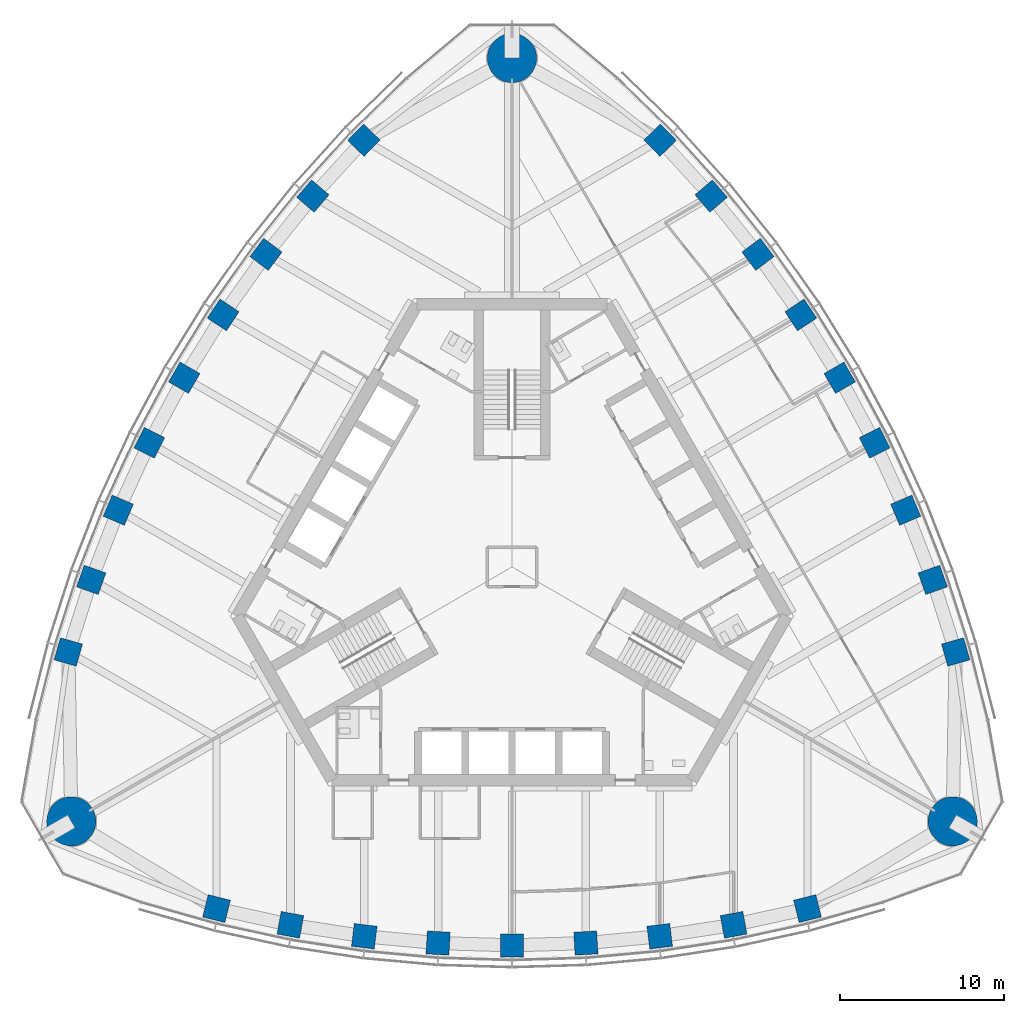
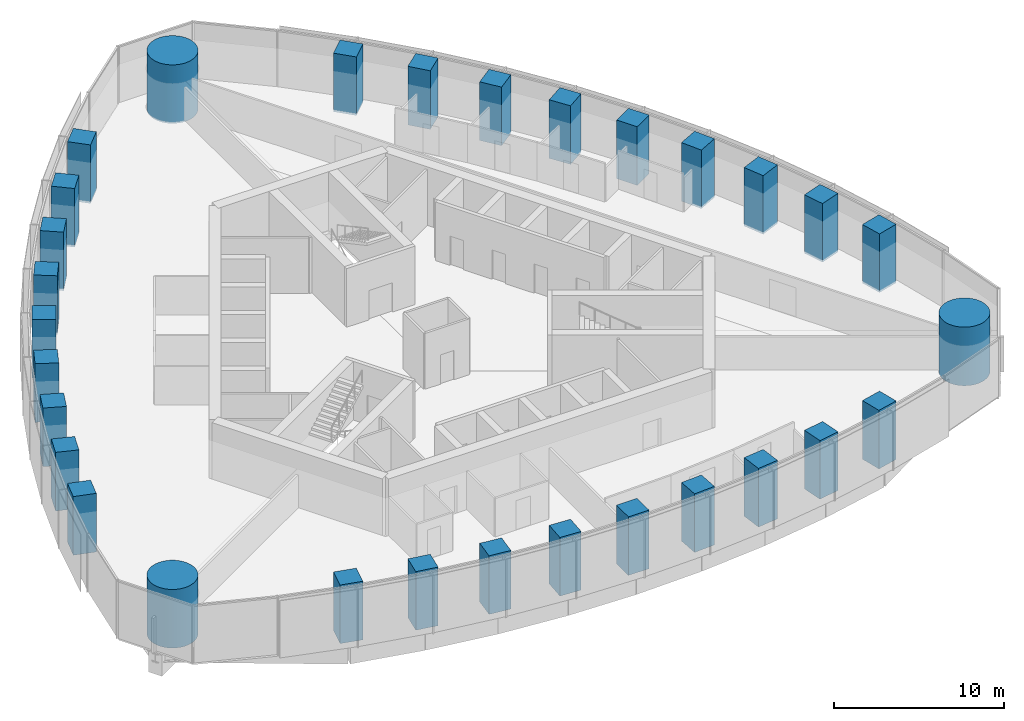
# One storey, part 1 of 15: 30 columns.
"""IFC4 building model written with IfcOpenShell, lengths in metres."""

from ifc_helpers import new_model, si_unit, direction, frame, origin, origin_2d, place, context, subcontext, project, spatial, rectangle, circle, extrude, material, material_profile, profile_set, type_object, element, save


model = new_model("IFC4")

# Units and contexts
model_context = context("Model", 3, precision=1e-05, world=origin(), true_north=direction((0.0, 1.0)))
body_context = subcontext(model_context, "Body", "Model", "MODEL_VIEW")
ifc_project = project(units=[si_unit("LENGTHUNIT", "METRE"), si_unit("AREAUNIT", "SQUARE_METRE"), si_unit("VOLUMEUNIT", "CUBIC_METRE"), si_unit("PLANEANGLEUNIT", "RADIAN"), si_unit("MASSUNIT", "GRAM", prefix="KILO")], contexts=[model_context])

# Site, building, storey
site_placement = place(None, origin())
site = spatial("IfcSite", under=ifc_project, at=site_placement, CompositionType="ELEMENT")
building_placement = place(site_placement, origin())
building = spatial("IfcBuilding", under=site, at=building_placement, Name="Trefoil Bronze Tower", CompositionType="ELEMENT")
storey_placement = place(building_placement, frame((0.0, 0.0, 276.300048828125)))
storey = spatial("IfcBuildingStorey", under=building, at=storey_placement, Name="L63", CompositionType="ELEMENT", Elevation=276.300048828125)

# Columns
ifc_material_1 = material(Name="Concrete B80", Category="concrete")
ifc_material_profile_1 = material_profile(ifc_material_1, circle(Radius=1.5, at=origin_2d()), Name="RC D3000")
ifc_profile_set_1 = profile_set([ifc_material_profile_1], Name="Concrete B80")
column_type_1 = type_object("IfcColumnType", Name="Mega column RC D3000", PredefinedType="COLUMN", material=ifc_profile_set_1)
for number, where, z_axis, x_axis, name in (
    (1, (26.8466796875, -15.5, 0.0), (0.0, 0.0, 1.0), (1.0, 0.0, 0.0), "Mega column K1 L63"),
    (2, (0.0, 31.0, 0.0), (0.0, 0.0, 1.0), (1.0, 0.0, 0.0), "Mega column K2 L63"),
    (3, (-26.8466796875, -15.5, 0.0), (0.0, 0.0, 1.0), (1.0, 0.0, 0.0), "Mega column K3 L63"),
):
    element("IfcColumn", number, at=place(storey_placement, frame(where, z_axis=z_axis, x_axis=x_axis)), inside=storey, type_object=column_type_1, Name=name, PredefinedType="COLUMN", context=body_context, shape_type="SweptSolid", body=[
        extrude(circle(Radius=1.5, at=origin_2d()), origin(), (0.0, 0.0, 1.0), 4.199951171875),
    ])
ifc_material_2 = material(Name="Concrete B80", Category="concrete")
ifc_material_profile_2 = material_profile(ifc_material_2, rectangle(XDim=1.39990234375, YDim=1.39990234375, at=origin_2d()), Name="RC 1400x1400")
ifc_profile_set_2 = profile_set([ifc_material_profile_2], Name="Concrete B80")
column_type_2 = type_object("IfcColumnType", Name="Tube column RC 1400x1400", PredefinedType="COLUMN", material=ifc_profile_set_2)
for number, where, z_axis, x_axis, name in (
    (4, (-18.0, -20.816162109375, 0.0), (0.0, 0.0, 1.0), (0.97017777199, -0.242394494031, 0.0), "Tube column F1/-4 L63"),
    (5, (-13.5, -21.802734375, 0.0), (0.0, 0.0, 1.0), (0.983360067227, -0.181667218242, 0.0), "Tube column F1/-3 L63"),
    (6, (-9.0, -22.499267578125, 0.0), (0.0, 0.0, 1.0), (0.992639174109, -0.121109330868, 0.0), "Tube column F1/-2 L63"),
    (7, (-4.5, -22.913818359375, 0.0), (0.0, 0.0, 1.0), (0.998164920349, -0.060554040199, 0.0), "Tube column F1/-1 L63"),
    (8, (0.0, -23.051513671875, 0.0), (0.0, 0.0, 1.0), (1.0, 0.0, 0.0), "Tube column F1/+0 L63"),
    (9, (4.5, -22.913818359375, 0.0), (0.0, 0.0, 1.0), (0.998164920349, 0.060554040199, 0.0), "Tube column F1/+1 L63"),
    (10, (9.0, -22.499267578125, 0.0), (0.0, 0.0, 1.0), (0.992639174109, 0.121109330868, 0.0), "Tube column F1/+2 L63"),
    (11, (13.5, -21.802734375, 0.0), (0.0, 0.0, 1.0), (0.983360067227, 0.181667218242, 0.0), "Tube column F1/+3 L63"),
    (12, (18.0, -20.816162109375, 0.0), (0.0, 0.0, 1.0), (0.97017777199, 0.242394494031, 0.0), "Tube column F1/+4 L63"),
    (13, (27.02734375, -5.180419921875, 0.0), (0.0, 0.0, 1.0), (-0.275169096426, 0.961395843746, 0.0), "Tube column F2/-4 L63"),
    (14, (25.631591796875, -0.7900390625, 0.0), (0.0, 0.0, 1.0), (-0.334351607581, 0.942448408407, 0.0), "Tube column F2/-3 L63"),
    (15, (23.98486328125, 3.455322265625, 0.0), (0.0, 0.0, 1.0), (-0.391435829888, 0.920205407004, 0.0), "Tube column F2/-2 L63"),
    (16, (22.093994140625, 7.559814453125, 0.0), (0.0, 0.0, 1.0), (-0.44664112306, 0.894713198289, 0.0), "Tube column F2/-1 L63"),
    (17, (19.96337890625, 11.52587890625, 0.0), (0.0, 0.0, 1.0), (-0.5, 0.866025403784, 0.0), "Tube column F2/+0 L63"),
    (18, (17.593994140625, 15.35400390625, 0.0), (0.0, 0.0, 1.0), (-0.551523797289, 0.834159158089, 0.0), "Tube column F2/+1 L63"),
    (19, (14.98486328125, 19.043701171875, 0.0), (0.0, 0.0, 1.0), (-0.601203344222, 0.799096076136, 0.0), "Tube column F2/+2 L63"),
    (20, (12.131591796875, 22.5927734375, 0.0), (0.0, 0.0, 1.0), (-0.649008459646, 0.760781190165, 0.0), "Tube column F2/+3 L63"),
    (21, (9.02734375, 25.99658203125, 0.0), (0.0, 0.0, 1.0), (-0.695008675564, 0.719001349715, 0.0), "Tube column F2/+4 L63"),
    (22, (-9.02734375, 25.99658203125, 0.0), (0.0, 0.0, 1.0), (-0.695008675564, -0.719001349715, 0.0), "Tube column F3/-4 L63"),
    (23, (-12.131591796875, 22.5927734375, 0.0), (0.0, 0.0, 1.0), (-0.649008459646, -0.760781190165, 0.0), "Tube column F3/-3 L63"),
    (24, (-14.98486328125, 19.043701171875, 0.0), (0.0, 0.0, 1.0), (-0.601203344222, -0.799096076136, 0.0), "Tube column F3/-2 L63"),
    (25, (-17.593994140625, 15.35400390625, 0.0), (0.0, 0.0, 1.0), (-0.551523797289, -0.834159158089, 0.0), "Tube column F3/-1 L63"),
    (26, (-19.96337890625, 11.52587890625, 0.0), (0.0, 0.0, 1.0), (-0.5, -0.866025403784, 0.0), "Tube column F3/+0 L63"),
    (27, (-22.093994140625, 7.559814453125, 0.0), (0.0, 0.0, 1.0), (-0.44664112306, -0.894713198289, 0.0), "Tube column F3/+1 L63"),
    (28, (-23.98486328125, 3.455322265625, 0.0), (0.0, 0.0, 1.0), (-0.391435829888, -0.920205407004, 0.0), "Tube column F3/+2 L63"),
    (29, (-25.631591796875, -0.7900390625, 0.0), (0.0, 0.0, 1.0), (-0.334351607581, -0.942448408407, 0.0), "Tube column F3/+3 L63"),
    (30, (-27.02734375, -5.180419921875, 0.0), (0.0, 0.0, 1.0), (-0.275169096426, -0.961395843746, 0.0), "Tube column F3/+4 L63"),
):
    element("IfcColumn", number, at=place(storey_placement, frame(where, z_axis=z_axis, x_axis=x_axis)), inside=storey, type_object=column_type_2, Name=name, PredefinedType="COLUMN", context=body_context, shape_type="SweptSolid", body=[
        extrude(rectangle(XDim=1.39990234375, YDim=1.39990234375, at=origin_2d()), origin(), (0.0, 0.0, 1.0), 4.199951171875),
    ])

save(model, "model.ifc")
